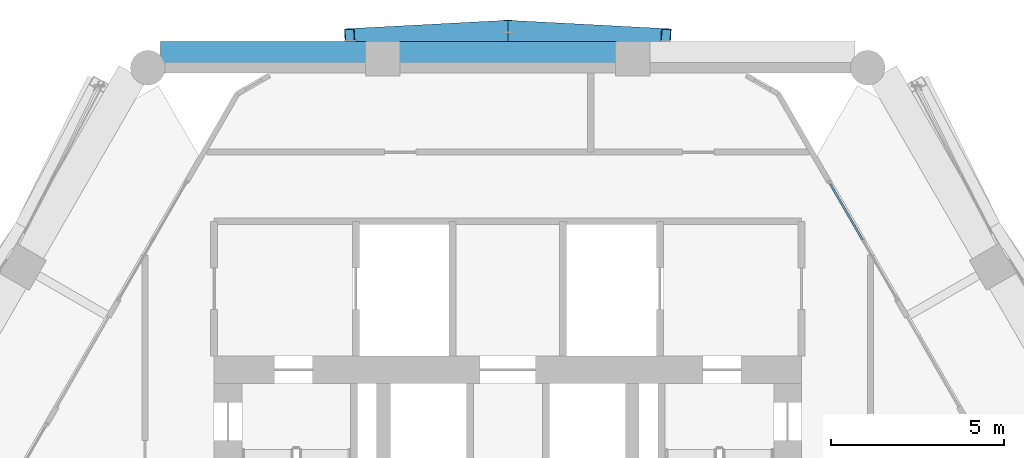
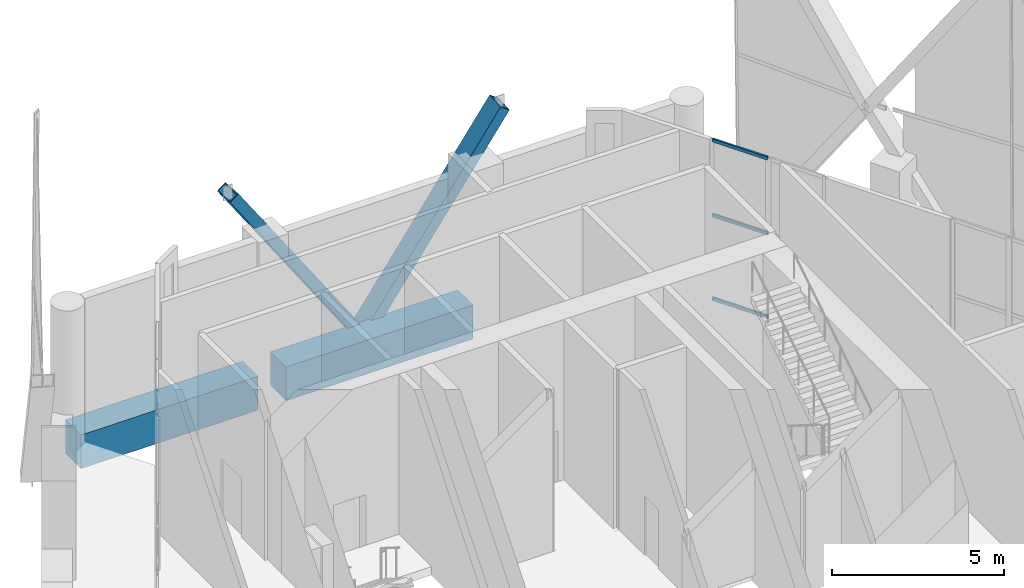
# One storey, part 30 of 43: 5 members, 2 beams, 1 element without a shape of its own.
"""IFC4 building model written with IfcOpenShell, lengths in metres."""

from ifc_helpers import new_model, si_unit, direction, frame, origin, origin_2d, place, context, subcontext, project, spatial, rectangle, hollow_rectangle, extrude, material, material_profile, profile_set, type_object, element, aggregate, save


model = new_model("IFC4")

# Units and contexts
model_context = context("Model", 3, precision=1e-05, world=origin(), true_north=direction((0.0, 1.0)))
body_context = subcontext(model_context, "Body", "Model", "MODEL_VIEW")
ifc_project = project(units=[si_unit("LENGTHUNIT", "METRE"), si_unit("AREAUNIT", "SQUARE_METRE"), si_unit("VOLUMEUNIT", "CUBIC_METRE"), si_unit("PLANEANGLEUNIT", "RADIAN"), si_unit("MASSUNIT", "GRAM", prefix="KILO")], contexts=[model_context])

# Site, building, storey
site_placement = place(None, origin())
site = spatial("IfcSite", under=ifc_project, at=site_placement, CompositionType="ELEMENT")
building_placement = place(site_placement, origin())
building = spatial("IfcBuilding", under=site, at=building_placement, Name="Ostrander Bayou Hotel Tower", CompositionType="ELEMENT")
storey_placement = place(building_placement, frame((0.0, 0.0, 151.0)))
storey = spatial("IfcBuildingStorey", under=building, at=storey_placement, Name="L37", CompositionType="ELEMENT", Elevation=151.0)

# Curtain wall, members
ifc_material_1 = material(Name="Aluminium and clear glass", Category="aluminium")
curtain_wall_type = type_object("IfcCurtainWallType", Name="CW-SKY amenity glass wall", PredefinedType="NOTDEFINED", material=ifc_material_1)
curtain_wall_placement = place(storey_placement, origin())
curtain_wall = element("IfcCurtainWall", 1, at=curtain_wall_placement, inside=storey, type_object=curtain_wall_type, Name="CW-SKY L37 NE 4", PredefinedType="NOTDEFINED")
ifc_material_2 = material(Name="Aluminium", Category="aluminium")
ifc_material_profile_1 = material_profile(ifc_material_2, hollow_rectangle(XDim=0.06005859375, YDim=0.1201171875, WallThickness=0.00390625, at=origin_2d()))
ifc_profile_set_1 = profile_set([ifc_material_profile_1], Name="Aluminium")
member_type_1 = type_object("IfcMemberType", Name="CW-SK transom 60 x 120 mm", PredefinedType="USERDEFINED", material=ifc_profile_set_1)
member_1_placement = place(storey_placement, frame((10.268310546875, 13.064453125, 0.030029296875), z_axis=(-0.499964847546, 0.866045698112, 0.0), x_axis=(-0.866045698112, -0.499964847546, 0.0)))
member_1 = element("IfcMember", 2, at=member_1_placement, type_object=member_type_1, Name="CW-SKY transom 2.1", ObjectType="TRANSOM", PredefinedType="USERDEFINED", context=body_context, shape_type="SweptSolid", body=[
    extrude(hollow_rectangle(XDim=0.06005859375, YDim=0.1201171875, WallThickness=0.00390625, at=origin_2d()), origin(), (0.0, 0.0, 1.0), 1.860107421875),
])
member_2_placement = place(storey_placement, frame((10.268310546875, 13.064453125, 3.0), z_axis=(-0.499964847546, 0.866045698112, 0.0), x_axis=(-0.866045698112, -0.499964847546, 0.0)))
member_2 = element("IfcMember", 3, at=member_2_placement, type_object=member_type_1, Name="CW-SKY transom 2.2", ObjectType="TRANSOM", PredefinedType="USERDEFINED", context=body_context, shape_type="SweptSolid", body=[
    extrude(hollow_rectangle(XDim=0.06005859375, YDim=0.1201171875, WallThickness=0.00390625, at=origin_2d()), origin(), (0.0, 0.0, 1.0), 1.860107421875),
])
member_3_placement = place(storey_placement, frame((10.268310546875, 13.064453125, 5.669921875), z_axis=(-0.499964847546, 0.866045698112, 0.0), x_axis=(-0.866045698112, -0.499964847546, 0.0)))
member_3 = element("IfcMember", 4, at=member_3_placement, type_object=member_type_1, Name="CW-SKY transom 2.3", ObjectType="TRANSOM", PredefinedType="USERDEFINED", context=body_context, shape_type="SweptSolid", body=[
    extrude(hollow_rectangle(XDim=0.06005859375, YDim=0.1201171875, WallThickness=0.00390625, at=origin_2d()), origin(), (0.0, 0.0, 1.0), 1.860107421875),
])
aggregate(curtain_wall, [member_1, member_2, member_3])

# Members
ifc_material_3 = material(Name="Steel ASTM A572 Gr 50", Category="steel")
ifc_material_profile_2 = material_profile(ifc_material_3, hollow_rectangle(XDim=0.699951171875, YDim=0.35009765625, WallThickness=0.02490234375, at=origin_2d()))
ifc_profile_set_2 = profile_set([ifc_material_profile_2], Name="Steel ASTM A572 Gr 50")
member_type_2 = type_object("IfcMemberType", Name="LT1 lattice member box 700 x 350 x 25 mm", PredefinedType="BRACE", material=ifc_profile_set_2)
for number, where, z_axis, x_axis, name in (
    (5, (4.571533203125, 18.828369140625, 6.14990234375), (-0.560513786321, 0.029634640772, -0.827614695018), (-0.05279675439, -0.998605278739, 0.0), "LT1 L37 N 1"),
    (6, (-4.571533203125, 18.828369140625, 6.14990234375), (0.560513786321, 0.029634640772, -0.827614695018), (-0.05279675439, 0.998605278739, 0.0), "LT1 L37 N 2"),
):
    element("IfcMember", number, at=place(storey_placement, frame(where, z_axis=z_axis, x_axis=x_axis)), inside=storey, type_object=member_type_2, Name=name, PredefinedType="BRACE", context=body_context, shape_type="SweptSolid", body=[
        extrude(hollow_rectangle(XDim=0.699951171875, YDim=0.35009765625, WallThickness=0.02490234375, at=origin_2d()), origin(), (0.0, 0.0, 1.0), 8.156005859375),
    ])

# Beams
ifc_material_4 = material(Name="Concrete f'c 60 MPa", Category="concrete")
ifc_material_profile_3 = material_profile(ifc_material_4, rectangle(XDim=0.89990234375, YDim=1.199951171875, at=origin_2d()))
ifc_profile_set_3 = profile_set([ifc_material_profile_3], Name="Concrete f'c 60 MPa")
beam_type = type_object("IfcBeamType", Name="SP3 spandrel beam 900 x 1200 mm f'c 60 MPa", PredefinedType="SPANDREL", material=ifc_profile_set_3)
beam_1_placement = place(storey_placement, frame((3.148193359375, 18.35009765625, -0.60009765625), z_axis=(-1.0, 0.0, 0.0), x_axis=(0.0, -1.0, 0.0)))
element("IfcBeam", 7, at=beam_1_placement, inside=storey, type_object=beam_type, Name="SP3 L37 N-2", PredefinedType="SPANDREL", context=body_context, shape_type="SweptSolid", body=[
    extrude(rectangle(XDim=0.89990234375, YDim=1.199951171875, at=origin_2d()), origin(), (0.0, 0.0, 1.0), 6.29638671875),
])
beam_2_placement = place(storey_placement, frame((-4.088134765625, 18.35009765625, -0.60009765625), z_axis=(-1.0, 0.0, 0.0), x_axis=(0.0, -1.0, 0.0)))
element("IfcBeam", 8, at=beam_2_placement, inside=storey, type_object=beam_type, Name="SP3 L37 N-3", PredefinedType="SPANDREL", context=body_context, shape_type="SweptSolid", body=[
    extrude(rectangle(XDim=0.89990234375, YDim=1.199951171875, at=origin_2d()), origin(), (0.0, 0.0, 1.0), 5.9638671875),
])

save(model, "model.ifc")
